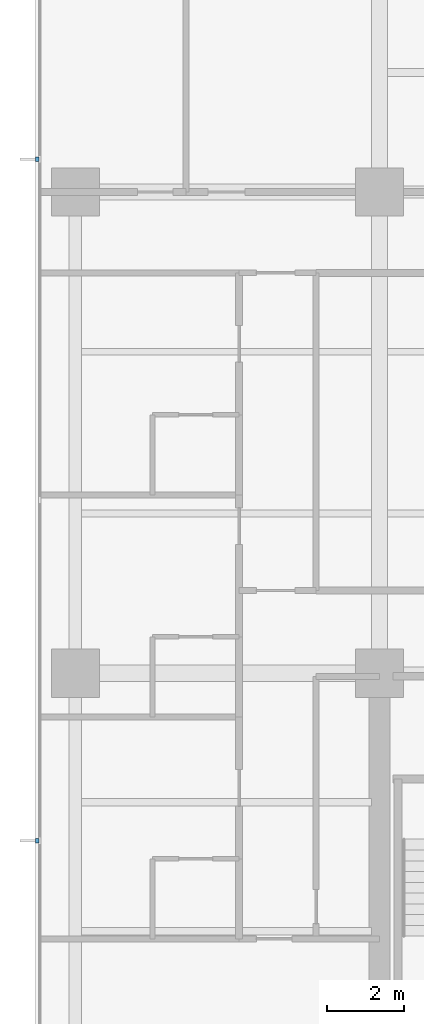
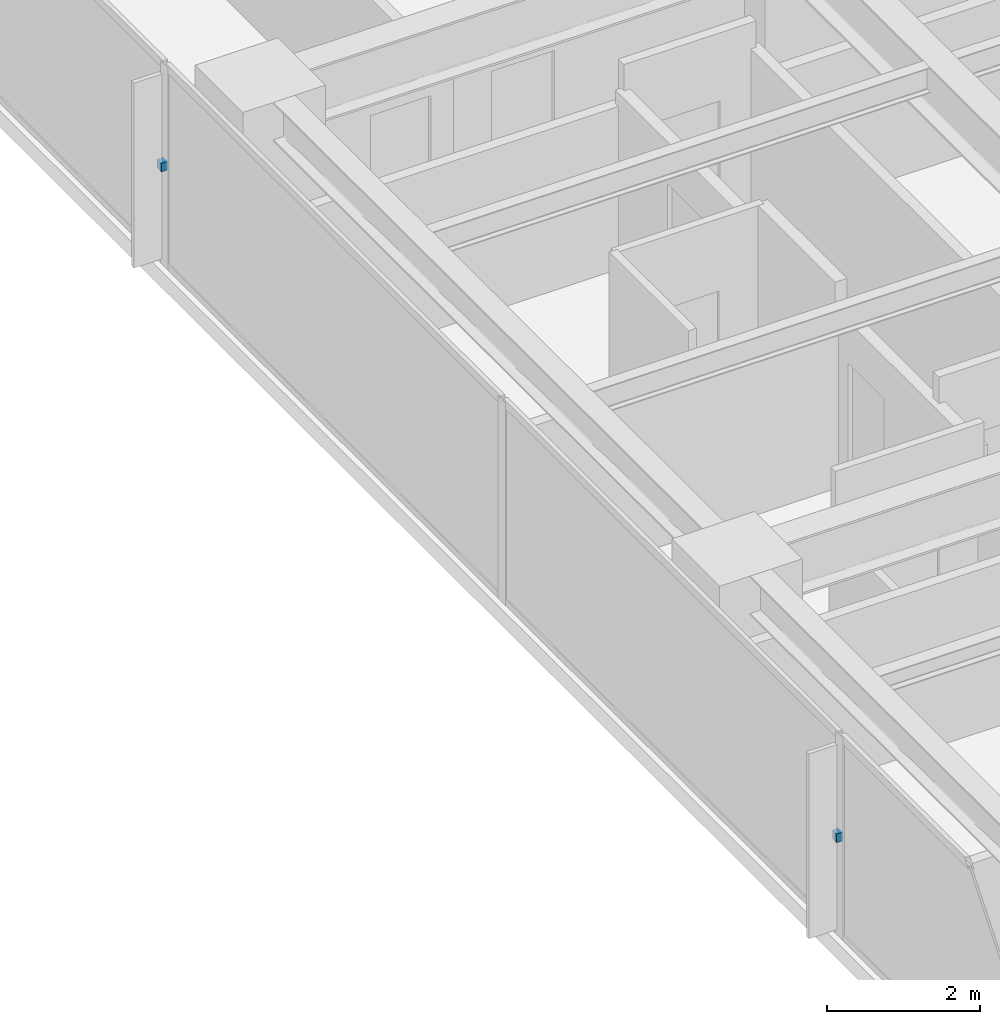
# One storey, part 13 of 17: 2 discrete accessories.
"""IFC4 building model written with IfcOpenShell, lengths in metres."""

import ifcopenshell
import ifcopenshell.guid

model = None  # the IFC model being written
_history = None  # IfcOwnerHistory: only IFC2X3 demands one
_inside = {}  # id of a spatial element -> (the spatial element, [elements in it])
_under = {}  # id of a project, library or spatial element -> (it, [spatial elements below it])
_declared = {}  # id of a project -> (the project, [libraries it declares])
_typed = {}  # id of a type object -> (the type object, [elements of that type])
_made_of = {}  # id of a material, layer set ... -> (it, [elements and type objects made of it])


def new_model(schema):
    """Start an empty IFC model of exactly this schema.

    Asked for "IFC4X3", IfcOpenShell would pick the latest addendum, in which some entities
    have other attributes; the version numbers below select the first issue.
    IFC2X3 requires an IfcOwnerHistory on every rooted entity: one is made here for all.
    """
    global model, _history
    if schema == "IFC4X3":
        model = ifcopenshell.file(schema_version=(4, 3, 0, 0))
    else:
        model = ifcopenshell.file(schema=schema)
    _inside.clear()
    _under.clear()
    _declared.clear()
    _typed.clear()
    _made_of.clear()
    _history = None
    if model.schema == "IFC2X3":
        org = make("IfcOrganization", Name="unknown")
        user = make(
            "IfcPersonAndOrganization",
            ThePerson=make("IfcPerson", FamilyName="unknown"),
            TheOrganization=org,
        )
        app = make(
            "IfcApplication",
            ApplicationDeveloper=org,
            Version="unknown",
            ApplicationFullName="unknown",
            ApplicationIdentifier="unknown",
        )
        _history = make(
            "IfcOwnerHistory",
            OwningUser=user,
            OwningApplication=app,
            ChangeAction="ADDED",
            CreationDate=0,
        )
    return model


def make(cls, **values):
    """One entity of the class cls with the attributes given. An attribute that is None is left unset."""
    return model.create_entity(
        cls, **{name: value for name, value in values.items() if value is not None}
    )


def rooted(cls, **values):
    """An entity with a GlobalId (a new one), such as an element, a storey or a relation."""
    return make(cls, GlobalId=ifcopenshell.guid.new(), OwnerHistory=_history, **values)


def si_unit(unit_type, name, prefix=None):
    """IfcSIUnit, for example si_unit("LENGTHUNIT", "METRE", prefix="MILLI")."""
    return make("IfcSIUnit", UnitType=unit_type, Prefix=prefix, Name=name)


def assignment(units):
    """IfcUnitAssignment: the units of a project."""
    return None if units is None else make("IfcUnitAssignment", Units=units)


def point(xyz):
    """IfcCartesianPoint."""
    return None if xyz is None else make("IfcCartesianPoint", Coordinates=xyz)


def direction(xyz):
    """IfcDirection."""
    return None if xyz is None else make("IfcDirection", DirectionRatios=xyz)


def frame(location, z_axis=None, x_axis=None):
    """IfcAxis2Placement3D, a coordinate frame: its origin and axes. An axis left out is left unset."""
    return make(
        "IfcAxis2Placement3D",
        Location=point(location),
        Axis=direction(z_axis),
        RefDirection=direction(x_axis),
    )


def origin():
    """The frame at (0, 0, 0) with its axes left unset."""
    return frame((0.0, 0.0, 0.0))


def place(relative_to, where):
    """IfcLocalPlacement: puts the frame where relative to a parent placement (None: the world)."""
    return make(
        "IfcLocalPlacement", PlacementRelTo=relative_to, RelativePlacement=where
    )


def context(
    kind, dimensions, precision=None, world=None, true_north=None, identifier=None
):
    """IfcGeometricRepresentationContext, for example the 3D "Model" context."""
    return make(
        "IfcGeometricRepresentationContext",
        ContextIdentifier=identifier,
        ContextType=kind,
        CoordinateSpaceDimension=dimensions,
        Precision=precision,
        WorldCoordinateSystem=world,
        TrueNorth=true_north,
    )


def subcontext(parent, identifier, kind, view, scale=None):
    """IfcGeometricRepresentationSubContext, for example "Body" below "Model"."""
    return make(
        "IfcGeometricRepresentationSubContext",
        ContextIdentifier=identifier,
        ContextType=kind,
        ParentContext=parent,
        TargetScale=scale,
        TargetView=view,
    )


def project(units=None, contexts=None):
    """IfcProject with its units and contexts."""
    return rooted(
        "IfcProject",
        Name="project",
        RepresentationContexts=contexts,
        UnitsInContext=assignment(units),
    )


def spatial(cls, under=None, at=None, **own):
    """A site, building, storey or space (cls), placed at a placement, below another one or the project."""
    s = rooted(cls, ObjectPlacement=at, **own)
    if under is not None:
        _under.setdefault(under.id(), (under, []))[1].append(s)
    return s


def polyline(points):
    """IfcPolyline through the points."""
    return make("IfcPolyline", Points=[point(p) for p in points])


def outline(outer, holes=None, kind="AREA"):
    """IfcArbitraryClosedProfileDef: a profile drawn as a closed curve; with holes, ...WithVoids."""
    if holes is None:
        return make("IfcArbitraryClosedProfileDef", ProfileType=kind, OuterCurve=outer)
    return make(
        "IfcArbitraryProfileDefWithVoids",
        ProfileType=kind,
        OuterCurve=outer,
        InnerCurves=holes,
    )


def extrude(swept, where, along, depth):
    """IfcExtrudedAreaSolid: the profile swept, set in the frame where, extruded along a direction by depth."""
    return make(
        "IfcExtrudedAreaSolid",
        SweptArea=swept,
        Position=where,
        ExtrudedDirection=direction(along),
        Depth=depth,
    )


def shape(context_of_items, identifier, shape_type, items):
    """IfcShapeRepresentation: the items that make up one representation, for example the "Body"."""
    return make(
        "IfcShapeRepresentation",
        ContextOfItems=context_of_items,
        RepresentationIdentifier=identifier,
        RepresentationType=shape_type,
        Items=items,
    )


def material(Name=None, Category=None):
    """IfcMaterial."""
    return make("IfcMaterial", Name=Name, Category=Category)


def made_of(thing, what):
    """Note that an element or type object is made of a material, layer set ...; save() writes the relation."""
    if what is not None:
        _made_of.setdefault(what.id(), (what, []))[1].append(thing)
    return thing


def type_object(cls, material=None, **own):
    """A type object (cls), such as IfcWallType, which elements share."""
    return made_of(rooted(cls, **own), material)


def element(
    cls,
    number,
    at=None,
    inside=None,
    cuts=None,
    type_object=None,
    material=None,
    context=None,
    identifier="Body",
    shape_type=None,
    held_by="IfcProductDefinitionShape",
    body=None,
    shapes=None,
    **own,
):
    """One element of the class cls, such as IfcWall. Its Tag is "e" and its number.

    at: its placement. inside: the storey or other place that contains it. cuts: it is an
    opening in that element (IfcRelVoidsElement). A single representation is given by context,
    identifier, shape_type and body (its items); several are given by shapes. held_by: the class
    of the entity that holds the representations. save() writes the other relations.
    """
    e = rooted(cls, Tag="e%d" % number, ObjectPlacement=at, **own)
    if body is not None:
        shapes = [shape(context, identifier, shape_type, body)]
    if shapes is not None:
        e.Representation = make(held_by, Representations=shapes)
    if inside is not None:
        _inside.setdefault(inside.id(), (inside, []))[1].append(e)
    if cuts is not None:
        rooted(
            "IfcRelVoidsElement", RelatingBuildingElement=cuts, RelatedOpeningElement=e
        )
    if type_object is not None:
        _typed.setdefault(type_object.id(), (type_object, []))[1].append(e)
    return made_of(e, material)


def aggregate(whole, parts):
    """IfcRelAggregates: a whole, such as a stair, and the parts it consists of."""
    return rooted("IfcRelAggregates", RelatingObject=whole, RelatedObjects=parts)


def save(model, path):
    """Write the relations noted so far, then the file.

    IfcRelAggregates (storeys below a building ...), IfcRelContainedInSpatialStructure (elements
    in a storey), IfcRelDefinesByType, IfcRelAssociatesMaterial and IfcRelDeclares: one each for
    every whole, place, type object, material and project.
    """
    for whole, parts in _under.values():
        aggregate(whole, parts)
    for where, things in _inside.values():
        rooted(
            "IfcRelContainedInSpatialStructure",
            RelatedElements=things,
            RelatingStructure=where,
        )
    for kind, things in _typed.values():
        rooted("IfcRelDefinesByType", RelatedObjects=things, RelatingType=kind)
    for what, things in _made_of.values():
        rooted("IfcRelAssociatesMaterial", RelatedObjects=things, RelatingMaterial=what)
    for by, libraries in _declared.values():
        rooted("IfcRelDeclares", RelatingContext=by, RelatedDefinitions=libraries)
    model.write(path)


model = new_model("IFC4")

# Units and contexts
model_context = context("Model", 3, precision=1e-05, world=origin(), true_north=direction((0.0, 1.0)))
body_context = subcontext(model_context, "Body", "Model", "MODEL_VIEW")
ifc_project = project(units=[si_unit("LENGTHUNIT", "METRE"), si_unit("AREAUNIT", "SQUARE_METRE"), si_unit("VOLUMEUNIT", "CUBIC_METRE"), si_unit("PLANEANGLEUNIT", "RADIAN"), si_unit("MASSUNIT", "GRAM", prefix="KILO")], contexts=[model_context])

# Site, building, storey
site_placement = place(None, origin())
site = spatial("IfcSite", under=ifc_project, at=site_placement, CompositionType="ELEMENT")
building_placement = place(site_placement, origin())
building = spatial("IfcBuilding", under=site, at=building_placement, Name="Qalmaran Belvedere Hotel", CompositionType="ELEMENT")
storey_placement = place(building_placement, frame((0.0, 0.0, 112.699951171875)))
storey = spatial("IfcBuildingStorey", under=building, at=storey_placement, Name="L28", CompositionType="ELEMENT", Elevation=112.699951171875)

# Discrete accessories
ifc_material = material(Name="Stainless Steel 1.4401", Category="steel")
discrete_accessory_type = type_object("IfcDiscreteAccessoryType", Name="BRK-FIN-SS316", PredefinedType="BRACKET", material=ifc_material)
discrete_accessory_1_placement = place(storey_placement, frame((0.0, 0.0, 1.570068359375)))
element("IfcDiscreteAccessory", 1, at=discrete_accessory_1_placement, inside=storey, type_object=discrete_accessory_type, Name="L28 Fin Bracket 1", PredefinedType="BRACKET", context=body_context, shape_type="SweptSolid", body=[
    extrude(outline(polyline([(11.455078125, 33.905029296875), (11.360107421875, 33.905029296875), (11.360107421875, 33.794921875), (11.455078125, 33.794921875), (11.455078125, 33.905029296875)])), origin(), (0.0, 0.0, 1.0), 0.139892578125),
])
discrete_accessory_2_placement = place(storey_placement, frame((0.0, 0.0, 1.570068359375)))
element("IfcDiscreteAccessory", 2, at=discrete_accessory_2_placement, inside=storey, type_object=discrete_accessory_type, Name="L28 Fin Bracket 3", PredefinedType="BRACKET", context=body_context, shape_type="SweptSolid", body=[
    extrude(outline(polyline([(11.455078125, 16.205078125), (11.360107421875, 16.205078125), (11.360107421875, 16.094970703125), (11.455078125, 16.094970703125), (11.455078125, 16.205078125)])), origin(), (0.0, 0.0, 1.0), 0.139892578125),
])

save(model, "model.ifc")
